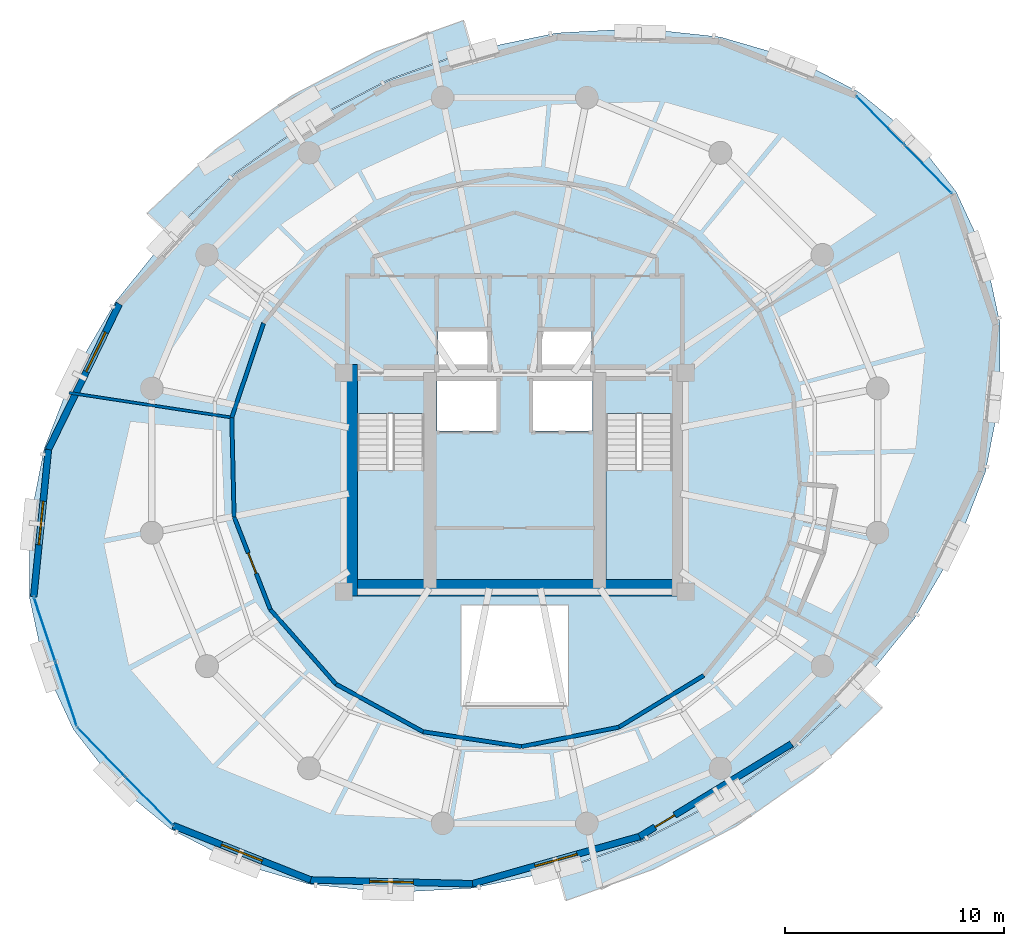
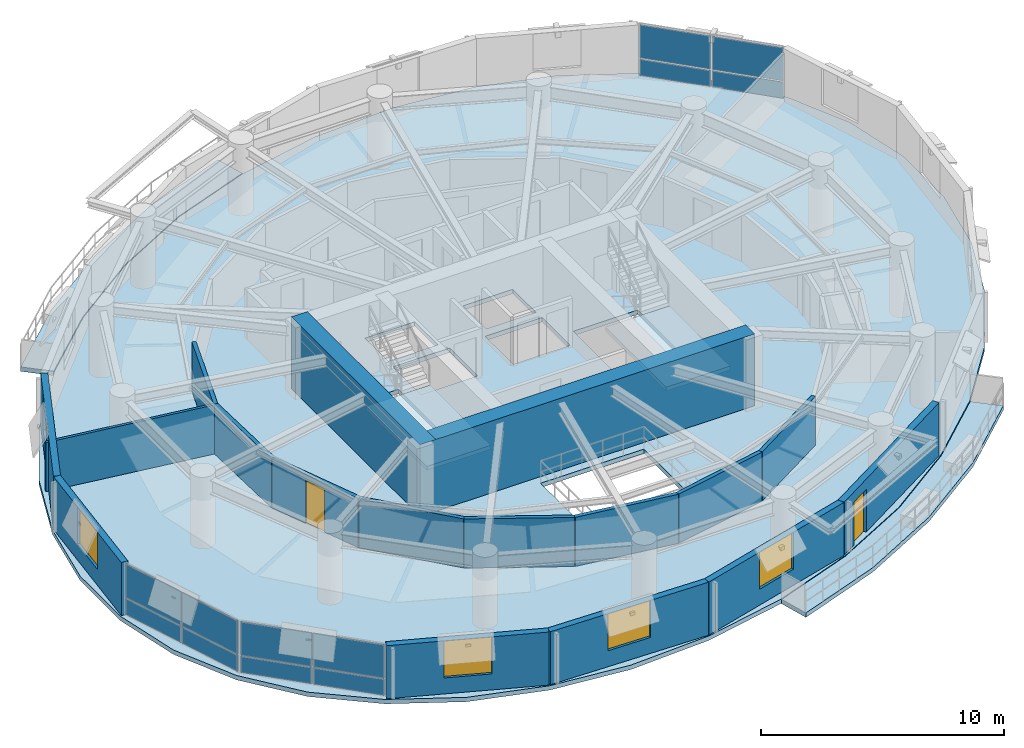
# One storey, part 9 of 15: 17 walls, 12 plates, 5 slabs, 5 windows, 2 doors, 7 openings, 5 elements without a shape of their own.
"""IFC4 building model written with IfcOpenShell, lengths in metres."""

from ifc_helpers import new_model, si_unit, direction, frame, frame_2d, origin, origin_2d, place, context, subcontext, project, spatial, polyline, rectangle, outline, extrude, material, layer, layer_set, type_object, element, fill, aggregate, save


model = new_model("IFC4")

# Units and contexts
model_context = context("Model", 3, precision=1e-05, world=origin(), true_north=direction((0.0, 1.0)))
body_context = subcontext(model_context, "Body", "Model", "MODEL_VIEW")
ifc_project = project(units=[si_unit("LENGTHUNIT", "METRE"), si_unit("AREAUNIT", "SQUARE_METRE"), si_unit("VOLUMEUNIT", "CUBIC_METRE"), si_unit("PLANEANGLEUNIT", "RADIAN"), si_unit("MASSUNIT", "GRAM", prefix="KILO"), si_unit("THERMODYNAMICTEMPERATUREUNIT", "KELVIN"), si_unit("POWERUNIT", "WATT")], contexts=[model_context])

# Site, building, storey
site_placement = place(None, origin())
site = spatial("IfcSite", under=ifc_project, at=site_placement, CompositionType="ELEMENT")
building_placement = place(site_placement, origin())
building = spatial("IfcBuilding", under=site, at=building_placement, Name="Ocrelia Relay Tower", CompositionType="ELEMENT")
storey_placement = place(building_placement, frame((0.0, 0.0, 166.39990234375)))
storey = spatial("IfcBuildingStorey", under=building, at=storey_placement, Name="L39", CompositionType="ELEMENT", Elevation=166.39990234375)

# Curtain wall, plates
ifc_material_1 = material(Name="Aluminium and solar-control low-E glass", Category="aluminium")
ifc_layer_1 = layer(ifc_material_1, 0.179931640625, Name="Aluminium and solar-control low-E glass")
ifc_layer_set_1 = layer_set([ifc_layer_1], Name="Aluminium and solar-control low-E glass")
curtain_wall_type = type_object("IfcCurtainWallType", Name="CW-SYS-Z3-CLOU", PredefinedType="NOTDEFINED", material=ifc_layer_set_1)
curtain_wall_1_placement = place(storey_placement, origin())
curtain_wall_1 = element("IfcCurtainWall", 1, at=curtain_wall_1_placement, inside=storey, type_object=curtain_wall_type, Name="L39 Elliptical Tower Curtain Wall Bay 01", PredefinedType="NOTDEFINED")
ifc_material_2 = material(Name="Clear double-glazed low-E glass", Category="glass")
ifc_layer_2 = layer(ifc_material_2, 0.031982421875, Name="Clear double-glazed low-E glass")
ifc_layer_set_2 = layer_set([ifc_layer_2], Name="Clear double-glazed low-E glass")
plate_type = type_object("IfcPlateType", Name="CW-SYS-Z3-CLOU-PNL", PredefinedType="CURTAIN_PANEL", material=ifc_layer_set_2)
plate_1_placement = place(storey_placement, frame((52.874755859375, 39.309326171875, 0.06005859375), z_axis=(0.0, 0.0, 1.0), x_axis=(-0.698789721576, 0.715327145451, 0.0)))
plate_1 = element("IfcPlate", 2, at=plate_1_placement, type_object=plate_type, Name="CW-Z3 panel 1.1", PredefinedType="CURTAIN_PANEL", context=body_context, shape_type="SweptSolid", body=[
    extrude(rectangle(XDim=3.0439453125, YDim=0.031982421875, at=origin_2d()), origin(), (0.0, 0.0, 1.0), 0.81005859375),
])
plate_2_placement = place(storey_placement, frame((52.874755859375, 39.309326171875, 0.93017578125), z_axis=(0.0, 0.0, 1.0), x_axis=(-0.698789721576, 0.715327145451, 0.0)))
plate_2 = element("IfcPlate", 3, at=plate_2_placement, type_object=plate_type, Name="CW-Z3 panel 1.2", PredefinedType="CURTAIN_PANEL", context=body_context, shape_type="SweptSolid", body=[
    extrude(rectangle(XDim=3.0439453125, YDim=0.031982421875, at=origin_2d()), origin(), (0.0, 0.0, 1.0), 1.669921875),
])
plate_3_placement = place(storey_placement, frame((50.702392578125, 41.533203125, 0.06005859375), z_axis=(0.0, 0.0, 1.0), x_axis=(-0.698789721576, 0.715327145451, 0.0)))
plate_3 = element("IfcPlate", 4, at=plate_3_placement, type_object=plate_type, Name="CW-Z3 panel 2.1", PredefinedType="CURTAIN_PANEL", context=body_context, shape_type="SweptSolid", body=[
    extrude(rectangle(XDim=3.0439453125, YDim=0.031982421875, at=origin_2d()), origin(), (0.0, 0.0, 1.0), 0.81005859375),
])
plate_4_placement = place(storey_placement, frame((50.702392578125, 41.533203125, 0.93017578125), z_axis=(0.0, 0.0, 1.0), x_axis=(-0.698789721576, 0.715327145451, 0.0)))
plate_4 = element("IfcPlate", 5, at=plate_4_placement, type_object=plate_type, Name="CW-Z3 panel 2.2", PredefinedType="CURTAIN_PANEL", context=body_context, shape_type="SweptSolid", body=[
    extrude(rectangle(XDim=3.0439453125, YDim=0.031982421875, at=origin_2d()), origin(), (0.0, 0.0, 1.0), 1.669921875),
])
aggregate(curtain_wall_1, [plate_1, plate_2, plate_3, plate_4])

curtain_wall_2_placement = place(storey_placement, origin())
curtain_wall_2 = element("IfcCurtainWall", 6, at=curtain_wall_2_placement, inside=storey, type_object=curtain_wall_type, Name="L39 Elliptical Tower Curtain Wall Bay 09", PredefinedType="NOTDEFINED")
plate_5_placement = place(storey_placement, frame((12.536376953125, 18.2822265625, 0.06005859375), z_axis=(0.0, 0.0, 1.0), x_axis=(0.315148416844, -0.949042399138, 0.0)))
plate_5 = element("IfcPlate", 7, at=plate_5_placement, type_object=plate_type, Name="CW-Z3 panel 1.1", PredefinedType="CURTAIN_PANEL", context=body_context, shape_type="SweptSolid", body=[
    extrude(rectangle(XDim=3.0439453125, YDim=0.031982421875, at=origin_2d()), origin(), (0.0, 0.0, 1.0), 0.81005859375),
])
plate_6_placement = place(storey_placement, frame((12.536376953125, 18.2822265625, 0.93017578125), z_axis=(0.0, 0.0, 1.0), x_axis=(0.315148416844, -0.949042399138, 0.0)))
plate_6 = element("IfcPlate", 8, at=plate_6_placement, type_object=plate_type, Name="CW-Z3 panel 1.2", PredefinedType="CURTAIN_PANEL", context=body_context, shape_type="SweptSolid", body=[
    extrude(rectangle(XDim=3.0439453125, YDim=0.031982421875, at=origin_2d()), origin(), (0.0, 0.0, 1.0), 1.669921875),
])
plate_7_placement = place(storey_placement, frame((13.51611328125, 15.331787109375, 0.06005859375), z_axis=(0.0, 0.0, 1.0), x_axis=(0.315148416844, -0.949042399138, 0.0)))
plate_7 = element("IfcPlate", 9, at=plate_7_placement, type_object=plate_type, Name="CW-Z3 panel 2.1", PredefinedType="CURTAIN_PANEL", context=body_context, shape_type="SweptSolid", body=[
    extrude(rectangle(XDim=3.0439453125, YDim=0.031982421875, at=origin_2d()), origin(), (0.0, 0.0, 1.0), 0.81005859375),
])
plate_8_placement = place(storey_placement, frame((13.51611328125, 15.331787109375, 0.93017578125), z_axis=(0.0, 0.0, 1.0), x_axis=(0.315148416844, -0.949042399138, 0.0)))
plate_8 = element("IfcPlate", 10, at=plate_8_placement, type_object=plate_type, Name="CW-Z3 panel 2.2", PredefinedType="CURTAIN_PANEL", context=body_context, shape_type="SweptSolid", body=[
    extrude(rectangle(XDim=3.0439453125, YDim=0.031982421875, at=origin_2d()), origin(), (0.0, 0.0, 1.0), 1.669921875),
])
aggregate(curtain_wall_2, [plate_5, plate_6, plate_7, plate_8])

curtain_wall_3_placement = place(storey_placement, origin())
curtain_wall_3 = element("IfcCurtainWall", 11, at=curtain_wall_3_placement, inside=storey, type_object=curtain_wall_type, Name="L39 Elliptical Tower Curtain Wall Bay 10", PredefinedType="NOTDEFINED")
plate_9_placement = place(storey_placement, frame((15.125244140625, 12.690673828125, 0.06005859375), z_axis=(0.0, 0.0, 1.0), x_axis=(0.698789721576, -0.715327145451, 0.0)))
plate_9 = element("IfcPlate", 12, at=plate_9_placement, type_object=plate_type, Name="CW-Z3 panel 1.1", PredefinedType="CURTAIN_PANEL", context=body_context, shape_type="SweptSolid", body=[
    extrude(rectangle(XDim=3.0439453125, YDim=0.031982421875, at=origin_2d()), origin(), (0.0, 0.0, 1.0), 0.81005859375),
])
plate_10_placement = place(storey_placement, frame((15.125244140625, 12.690673828125, 0.93017578125), z_axis=(0.0, 0.0, 1.0), x_axis=(0.698789721576, -0.715327145451, 0.0)))
plate_10 = element("IfcPlate", 13, at=plate_10_placement, type_object=plate_type, Name="CW-Z3 panel 1.2", PredefinedType="CURTAIN_PANEL", context=body_context, shape_type="SweptSolid", body=[
    extrude(rectangle(XDim=3.0439453125, YDim=0.031982421875, at=origin_2d()), origin(), (0.0, 0.0, 1.0), 1.669921875),
])
plate_11_placement = place(storey_placement, frame((17.297607421875, 10.466796875, 0.06005859375), z_axis=(0.0, 0.0, 1.0), x_axis=(0.698789721576, -0.715327145451, 0.0)))
plate_11 = element("IfcPlate", 14, at=plate_11_placement, type_object=plate_type, Name="CW-Z3 panel 2.1", PredefinedType="CURTAIN_PANEL", context=body_context, shape_type="SweptSolid", body=[
    extrude(rectangle(XDim=3.0439453125, YDim=0.031982421875, at=origin_2d()), origin(), (0.0, 0.0, 1.0), 0.81005859375),
])
plate_12_placement = place(storey_placement, frame((17.297607421875, 10.466796875, 0.93017578125), z_axis=(0.0, 0.0, 1.0), x_axis=(0.698789721576, -0.715327145451, 0.0)))
plate_12 = element("IfcPlate", 15, at=plate_12_placement, type_object=plate_type, Name="CW-Z3 panel 2.2", PredefinedType="CURTAIN_PANEL", context=body_context, shape_type="SweptSolid", body=[
    extrude(rectangle(XDim=3.0439453125, YDim=0.031982421875, at=origin_2d()), origin(), (0.0, 0.0, 1.0), 1.669921875),
])
aggregate(curtain_wall_3, [plate_9, plate_10, plate_11, plate_12])

# Slabs
ifc_material_3 = material(Name="Precast concrete C40/50", Category="concrete")
ifc_layer_3 = layer(ifc_material_3, 0.219970703125, Name="Precast concrete C40/50")
ifc_layer_set_3 = layer_set([ifc_layer_3], Name="Precast concrete C40/50")
slab_type_1 = type_object("IfcSlabType", Name="SL-BALC-220", PredefinedType="FLOOR", material=ifc_layer_set_3)
slab_1_placement = place(storey_placement, frame((0.0, 0.0, -0.219970703125)))
element("IfcSlab", 16, at=slab_1_placement, inside=storey, type_object=slab_type_1, Name="L39 Planted Loggia Balcony B1", PredefinedType="FLOOR", context=body_context, shape_type="SweptSolid", body=[
    extrude(outline(polyline([(32.036376953125, 44.753662109375), (30.125244140625, 44.068115234375), (28.214111328125, 43.38232421875), (24.567626953125, 41.483154296875), (21.20751953125, 39.114013671875), (19.7216796875, 37.730224609375), (18.23583984375, 36.346435546875), (17.216796875, 37.296875), (18.773193359375, 38.74609375), (20.329345703125, 40.195556640625), (23.8427734375, 42.6728515625), (27.65576171875, 44.65869140625), (29.657470703125, 45.376953125), (31.6591796875, 46.09521484375), (32.036376953125, 44.753662109375)])), origin(), (0.0, 0.0, 1.0), 0.219970703125),
])
slab_2_placement = place(storey_placement, frame((0.0, 0.0, -0.219970703125)))
element("IfcSlab", 17, at=slab_2_placement, inside=storey, type_object=slab_type_1, Name="L39 Planted Loggia Balcony B2", PredefinedType="FLOOR", context=body_context, shape_type="SweptSolid", body=[
    extrude(outline(polyline([(35.963623046875, 7.246337890625), (37.874755859375, 7.931884765625), (39.785888671875, 8.61767578125), (43.432373046875, 10.516845703125), (46.79248046875, 12.885986328125), (48.2783203125, 14.27001953125), (49.76416015625, 15.653564453125), (50.783203125, 14.703125), (49.226806640625, 13.25390625), (47.670654296875, 11.804443359375), (44.1572265625, 9.3271484375), (40.34423828125, 7.34130859375), (38.342529296875, 6.623046875), (36.3408203125, 5.90478515625), (35.963623046875, 7.246337890625)])), origin(), (0.0, 0.0, 1.0), 0.219970703125),
])
ifc_material_4 = material(Name="Concrete C50/60", Category="concrete")
ifc_layer_4 = layer(ifc_material_4, 0.219970703125, Name="Concrete C50/60")
ifc_layer_set_4 = layer_set([ifc_layer_4], Name="Concrete C50/60")
slab_type_2 = type_object("IfcSlabType", Name="SL-FLR-220", PredefinedType="FLOOR", material=ifc_layer_set_4)
slab_3_placement = place(storey_placement, frame((0.0, 0.0, -0.219970703125)))
element("IfcSlab", 18, at=slab_3_placement, inside=storey, type_object=slab_type_2, Name="L39 Elliptical Tower Floor Slab", PredefinedType="FLOOR", context=body_context, shape_type="SweptSolid", body=[
    extrude(outline(polyline([(54.154541015625, 38.2783203125), (52.213134765625, 40.77587890625), (49.71826171875, 42.824462890625), (46.745849609375, 44.362060546875), (43.38623046875, 45.341552734375), (39.741455078125, 45.7333984375), (35.922119140625, 45.525634765625), (32.04443359375, 44.724609375), (28.22607421875, 43.354736328125), (24.583251953125, 41.45751953125), (21.2265625, 39.090576171875), (18.2578125, 36.325927734375), (15.767578125, 33.24755859375), (13.831298828125, 29.94873046875), (12.5078125, 26.5302734375), (11.83740234375, 23.095458984375), (11.840087890625, 19.7490234375), (12.5166015625, 16.592529296875), (13.845458984375, 13.7216796875), (15.786865234375, 11.22412109375), (18.28173828125, 9.175537109375), (21.254150390625, 7.637939453125), (24.61376953125, 6.658447265625), (28.258544921875, 6.2666015625), (32.077880859375, 6.474365234375), (35.95556640625, 7.275390625), (39.77392578125, 8.645263671875), (43.416748046875, 10.54248046875), (46.7734375, 12.909423828125), (49.7421875, 15.674072265625), (52.232421875, 18.75244140625), (54.168701171875, 22.05126953125), (55.4921875, 25.4697265625), (56.16259765625, 28.904541015625), (56.159912109375, 32.2509765625), (55.4833984375, 35.407470703125), (54.154541015625, 38.2783203125)]), holes=[polyline([(26.81005859375, 28.14990234375), (26.81005859375, 20.550048828125), (29.85009765625, 20.550048828125), (29.85009765625, 28.14990234375), (26.81005859375, 28.14990234375)]), polyline([(38.159912109375, 28.14990234375), (38.159912109375, 20.550048828125), (41.199951171875, 20.550048828125), (41.199951171875, 28.14990234375), (38.159912109375, 28.14990234375)]), polyline([(30.4599609375, 27.35009765625), (33.159912109375, 27.35009765625), (33.159912109375, 29.64990234375), (30.4599609375, 29.64990234375), (30.4599609375, 27.35009765625)]), polyline([(34.840087890625, 27.35009765625), (37.5400390625, 27.35009765625), (37.5400390625, 29.64990234375), (34.840087890625, 29.64990234375), (34.840087890625, 27.35009765625)]), polyline([(30.5, 30.10009765625), (32.85009765625, 30.10009765625), (32.85009765625, 32.0), (30.5, 32.0), (30.5, 30.10009765625)]), polyline([(35.14990234375, 30.10009765625), (37.5, 30.10009765625), (37.5, 32.0), (35.14990234375, 32.0), (35.14990234375, 30.10009765625)]), polyline([(31.550048828125, 14.800048828125), (36.449951171875, 14.800048828125), (36.449951171875, 19.39990234375), (31.550048828125, 19.39990234375), (31.550048828125, 14.800048828125)])]), origin(), (0.0, 0.0, 1.0), 0.219970703125),
])

# Stair, slab
stair_type = type_object("IfcStairType", Name="ST-DL-1420-R180", PredefinedType="HALF_TURN_STAIR", material=ifc_material_4)
stair_1_placement = place(storey_placement, origin())
stair_1 = element("IfcStair", 19, at=stair_1_placement, inside=storey, type_object=stair_type, Name="L39 West Core Exit Stair ST1", PredefinedType="HALF_TURN_STAIR")
ifc_layer_5 = layer(ifc_material_4, 0.199951171875, Name="Concrete C50/60")
ifc_layer_set_5 = layer_set([ifc_layer_5], Name="Concrete C50/60")
slab_type_3 = type_object("IfcSlabType", Name="SL-LANDING-200", PredefinedType="LANDING", material=ifc_layer_set_5)
slab_4_placement = place(storey_placement, frame((0.0, 0.0, 1.60009765625)))
slab_4 = element("IfcSlab", 20, at=slab_4_placement, type_object=slab_type_3, Name="ST1 landing 1", PredefinedType="LANDING", context=body_context, shape_type="SweptSolid", body=[
    extrude(outline(polyline([(26.81005859375, 25.5400390625), (26.81005859375, 20.550048828125), (29.85009765625, 20.550048828125), (29.85009765625, 25.5400390625), (26.81005859375, 25.5400390625)])), origin(), (0.0, 0.0, 1.0), 0.199951171875),
])
aggregate(stair_1, [slab_4])

stair_2_placement = place(storey_placement, origin())
stair_2 = element("IfcStair", 21, at=stair_2_placement, inside=storey, type_object=stair_type, Name="L39 East Core Exit Stair ST2", PredefinedType="HALF_TURN_STAIR")
slab_5_placement = place(storey_placement, frame((0.0, 0.0, 1.60009765625)))
slab_5 = element("IfcSlab", 22, at=slab_5_placement, type_object=slab_type_3, Name="ST2 landing 1", PredefinedType="LANDING", context=body_context, shape_type="SweptSolid", body=[
    extrude(outline(polyline([(38.159912109375, 25.5400390625), (38.159912109375, 20.550048828125), (41.199951171875, 20.550048828125), (41.199951171875, 25.5400390625), (38.159912109375, 25.5400390625)])), origin(), (0.0, 0.0, 1.0), 0.199951171875),
])
aggregate(stair_2, [slab_5])

# Walls
ifc_material_5 = material(Name="Concrete C60/75", Category="concrete")
ifc_layer_6 = layer(ifc_material_5, 0.75, Name="Concrete C60/75")
ifc_layer_set_6 = layer_set([ifc_layer_6], Name="Concrete C60/75")
wall_type_1 = type_object("IfcWallType", Name="CW-CORE-750", PredefinedType="SHEAR", material=ifc_layer_set_6)
wall_1_placement = place(storey_placement, frame((26.072021484375, 20.18701171875, 0.0), z_axis=(0.0, 0.0, 1.0), x_axis=(1.0, 0.0, 0.0)))
element("IfcWall", 23, at=wall_1_placement, inside=storey, type_object=wall_type_1, Name="L39 Core Shear Wall S", PredefinedType="SHEAR", context=body_context, shape_type="SweptSolid", body=[
    extrude(rectangle(XDim=15.865966796875, YDim=0.75, at=frame_2d((7.93310546875, 0.0))), origin(), (0.0, 0.0, 1.0), 3.60009765625),
])
wall_2_placement = place(storey_placement, frame((26.447021484375, 19.81201171875, 0.0), z_axis=(0.0, 0.0, 1.0), x_axis=(0.0, 1.0, 0.0)))
element("IfcWall", 24, at=wall_2_placement, inside=storey, type_object=wall_type_1, Name="L39 Core Shear Wall W", PredefinedType="SHEAR", context=body_context, shape_type="SweptSolid", body=[
    extrude(rectangle(XDim=10.575927734375, YDim=0.75, at=frame_2d((5.2880859375, 0.0))), origin(), (0.0, 0.0, 1.0), 3.60009765625),
])
ifc_material_6 = material(Name="Gypsum Fireboard Partition EI60", Category="gypsum")
ifc_layer_7 = layer(ifc_material_6, 0.179931640625, Name="Gypsum Fireboard Partition EI60")
ifc_layer_set_7 = layer_set([ifc_layer_7], Name="Gypsum Fireboard Partition EI60")
wall_type_2 = type_object("IfcWallType", Name="W-CORR-EI60-180", PredefinedType="PARTITIONING", material=ifc_layer_set_7)
wall_3_placement = place(storey_placement, frame((22.5302734375, 32.2666015625, 0.0), z_axis=(0.0, 0.0, 1.0), x_axis=(-0.31980761521, -0.947482500764, 0.0)))
element("IfcWall", 25, at=wall_3_placement, inside=storey, type_object=wall_type_2, Name="L39 Cloud Engineering Workspace Corridor Partition 7", PredefinedType="PARTITIONING", context=body_context, shape_type="SweptSolid", body=[
    extrude(rectangle(XDim=4.5390625, YDim=0.179931640625, at=frame_2d((2.26953125, 0.0))), origin(), (0.0, 0.0, 1.0), 2.460205078125),
])
wall_4_placement = place(storey_placement, frame((21.07861328125, 27.9658203125, 0.0), z_axis=(0.0, 0.0, 1.0), x_axis=(0.023557050379, -0.999722494184, 0.0)))
element("IfcWall", 26, at=wall_4_placement, inside=storey, type_object=wall_type_2, Name="L39 Protocol Simulation Studio Corridor Partition 1", PredefinedType="PARTITIONING", context=body_context, shape_type="SweptSolid", body=[
    extrude(rectangle(XDim=4.539306640625, YDim=0.179931640625, at=frame_2d((2.26953125, 0.0))), origin(), (0.0, 0.0, 1.0), 2.460205078125),
])

# Wall, opening, door
wall_5_placement = place(storey_placement, frame((21.185546875, 23.427734375, 0.0), z_axis=(0.0, 0.0, 1.0), x_axis=(0.36408092874, -0.931367316008, 0.0)))
wall_5 = element("IfcWall", 27, at=wall_5_placement, inside=storey, type_object=wall_type_2, Name="L39 Protocol Simulation Studio Corridor Partition 2", PredefinedType="PARTITIONING", context=body_context, shape_type="SweptSolid", body=[
    extrude(rectangle(XDim=4.5390625, YDim=0.179931640625, at=frame_2d((2.26953125, 0.0))), origin(), (0.0, 0.0, 1.0), 2.460205078125),
])
opening_1_placement = place(wall_5_placement, frame((1.76953125, 0.0, 0.0)))
opening_1 = element("IfcOpeningElement", 28, at=opening_1_placement, cuts=wall_5, Name="Opening D-RM100", PredefinedType="OPENING", context=body_context, shape_type="SweptSolid", body=[
    extrude(rectangle(XDim=1.0, YDim=2.14990234375, at=frame_2d((0.5, 1.074951171875))), frame((0.0, 0.10009765625, 0.0), z_axis=(0.0, -1.0, 0.0), x_axis=(1.0, 0.0, 0.0)), (0.0, 0.0, 1.0), 0.199951171875),
])
ifc_material_7 = material(Name="Acoustic oak veneer fire door", Category="wood")
door_type_1 = type_object("IfcDoorType", Name="DR-ROOM-FD60-1000", OperationType="NOTDEFINED", PredefinedType="DOOR", material=ifc_material_7)
door_1_placement = place(opening_1_placement, origin())
door_1 = element("IfcDoor", 29, at=door_1_placement, inside=storey, type_object=door_type_1, Name="L39 Protocol Simulation Studio Entrance Door", OperationType="SINGLE_SWING_RIGHT", OverallHeight=2.14990234375, OverallWidth=1.0, PredefinedType="DOOR", context=body_context, shape_type="SweptSolid", body=[
    extrude(rectangle(XDim=1.0, YDim=2.14990234375, at=frame_2d((0.5, 1.074951171875))), frame((0.0, 0.02490234375, 0.0), z_axis=(0.0, -1.0, 0.0), x_axis=(1.0, 0.0, 0.0)), (0.0, 0.0, 1.0), 0.050048828125),
])
fill(opening_1, door_1)

# Walls
wall_6_placement = place(storey_placement, frame((22.838134765625, 19.2001953125, 0.0), z_axis=(0.0, 0.0, 1.0), x_axis=(0.660626682452, -0.750714583869, 0.0)))
element("IfcWall", 30, at=wall_6_placement, inside=storey, type_object=wall_type_2, Name="L39 Protocol Simulation Studio Corridor Partition 3", PredefinedType="PARTITIONING", context=body_context, shape_type="SweptSolid", body=[
    extrude(rectangle(XDim=4.539306640625, YDim=0.179931640625, at=frame_2d((2.26953125, 0.0))), origin(), (0.0, 0.0, 1.0), 2.460205078125),
])
for number, where, z_axis, x_axis, name in (
    (31, (25.8369140625, 15.79248046875, 0.0), (0.0, 0.0, 1.0), (0.877570600143, -0.479447433787, 0.0), "L39 Protocol Simulation Studio Corridor Partition 4"),
    (32, (29.8203125, 13.6162109375, 0.0), (0.0, 0.0, 1.0), (0.988627704607, -0.150383714819, 0.0), "L39 Protocol Simulation Studio Corridor Partition 5"),
):
    element("IfcWall", number, at=place(storey_placement, frame(where, z_axis=z_axis, x_axis=x_axis)), inside=storey, type_object=wall_type_2, Name=name, PredefinedType="PARTITIONING", context=body_context, shape_type="SweptSolid", body=[
        extrude(rectangle(XDim=4.5390625, YDim=0.179931640625, at=frame_2d((2.26953125, 0.0))), origin(), (0.0, 0.0, 1.0), 2.460205078125),
    ])
wall_7_placement = place(storey_placement, frame((34.307861328125, 12.93359375, 0.0), z_axis=(0.0, 0.0, 1.0), x_axis=(0.980443907312, 0.196798741393, 0.0)))
element("IfcWall", 33, at=wall_7_placement, inside=storey, type_object=wall_type_2, Name="L39 Protocol Simulation Studio Corridor Partition 6", PredefinedType="PARTITIONING", context=body_context, shape_type="SweptSolid", body=[
    extrude(rectangle(XDim=4.539306640625, YDim=0.179931640625, at=frame_2d((2.26953125, 0.0))), origin(), (0.0, 0.0, 1.0), 2.460205078125),
])
wall_8_placement = place(storey_placement, frame((38.75830078125, 13.826904296875, 0.0), z_axis=(0.0, 0.0, 1.0), x_axis=(0.854004275156, 0.520265987756, 0.0)))
element("IfcWall", 34, at=wall_8_placement, inside=storey, type_object=wall_type_2, Name="L39 Protocol Simulation Studio Corridor Partition 7", PredefinedType="PARTITIONING", context=body_context, shape_type="SweptSolid", body=[
    extrude(rectangle(XDim=4.5390625, YDim=0.179931640625, at=frame_2d((2.26953125, 0.0))), origin(), (0.0, 0.0, 1.0), 2.460205078125),
])

# Wall, opening, window
ifc_material_8 = material(Name="Precast concrete C40/50 with oxide terracotta", Category="masonry")
ifc_layer_8 = layer(ifc_material_8, 0.300048828125, Name="Precast concrete C40/50 with oxide terracotta")
ifc_layer_set_8 = layer_set([ifc_layer_8], Name="Precast concrete C40/50 with oxide terracotta")
wall_type_3 = type_object("IfcWallType", Name="W-EXT-TERR-300", PredefinedType="SOLIDWALL", material=ifc_layer_set_8)
wall_9_placement = place(storey_placement, frame((15.943115234375, 33.151611328125, 0.0), z_axis=(0.0, 0.0, 1.0), x_axis=(-0.437643860452, -0.89914840344, 0.0)))
wall_9 = element("IfcWall", 35, at=wall_9_placement, inside=storey, type_object=wall_type_3, Name="L39 Oxide Terracotta Facade Wall 07", PredefinedType="SOLIDWALL", context=body_context, shape_type="SweptSolid", body=[
    extrude(rectangle(XDim=7.397705078125, YDim=0.300048828125, at=frame_2d((3.69873046875, 0.0))), origin(), (0.0, 0.0, 1.0), 2.66015625),
])
opening_2_placement = place(wall_9_placement, frame((1.43896484375, 0.0, 0.800048828125)))
opening_2 = element("IfcOpeningElement", 36, at=opening_2_placement, cuts=wall_9, Name="Opening W-03", PredefinedType="OPENING", context=body_context, shape_type="SweptSolid", body=[
    extrude(rectangle(XDim=2.0, YDim=1.85009765625, at=frame_2d((1.0, 0.925048828125))), frame((0.0, 0.16015625, 0.0), z_axis=(0.0, -1.0, 0.0), x_axis=(1.0, 0.0, 0.0)), (0.0, 0.0, 1.0), 0.320068359375),
])
window_type = type_object("IfcWindowType", Name="WIN-Z3-2000x2200", PartitioningType="DOUBLE_PANEL_VERTICAL", PredefinedType="WINDOW", material=ifc_material_2)
window_1_placement = place(opening_2_placement, origin())
window_1 = element("IfcWindow", 37, at=window_1_placement, inside=storey, type_object=window_type, Name="L39 Facade Module Window 07", OverallHeight=1.85009765625, OverallWidth=2.0, PartitioningType="SINGLE_PANEL", PredefinedType="WINDOW", context=body_context, shape_type="SweptSolid", body=[
    extrude(rectangle(XDim=2.0, YDim=1.85009765625, at=frame_2d((1.0, 0.925048828125))), frame((0.0, 0.030029296875, 0.0), z_axis=(0.0, -1.0, 0.0), x_axis=(1.0, 0.0, 0.0)), (0.0, 0.0, 1.0), 0.06005859375),
])
fill(opening_2, window_1)

wall_10_placement = place(storey_placement, frame((12.70556640625, 26.5, 0.0), z_axis=(0.0, 0.0, 1.0), x_axis=(-0.099213429468, -0.995066176399, 0.0)))
wall_10 = element("IfcWall", 38, at=wall_10_placement, inside=storey, type_object=wall_type_3, Name="L39 Oxide Terracotta Facade Wall 08", PredefinedType="SOLIDWALL", context=body_context, shape_type="SweptSolid", body=[
    extrude(rectangle(XDim=6.744873046875, YDim=0.300048828125, at=frame_2d((3.37255859375, 0.0))), origin(), (0.0, 0.0, 1.0), 2.66015625),
])
opening_3_placement = place(wall_10_placement, frame((2.3720703125, 0.0, 0.800048828125)))
opening_3 = element("IfcOpeningElement", 39, at=opening_3_placement, cuts=wall_10, Name="Opening W-03", PredefinedType="OPENING", context=body_context, shape_type="SweptSolid", body=[
    extrude(rectangle(XDim=2.0, YDim=1.85009765625, at=frame_2d((1.0, 0.925048828125))), frame((0.0, 0.16015625, 0.0), z_axis=(0.0, -1.0, 0.0), x_axis=(1.0, 0.0, 0.0)), (0.0, 0.0, 1.0), 0.320068359375),
])
window_2_placement = place(opening_3_placement, origin())
window_2 = element("IfcWindow", 40, at=window_2_placement, inside=storey, type_object=window_type, Name="L39 Facade Module Window 08", OverallHeight=1.85009765625, OverallWidth=2.0, PartitioningType="SINGLE_PANEL", PredefinedType="WINDOW", context=body_context, shape_type="SweptSolid", body=[
    extrude(rectangle(XDim=2.0, YDim=1.85009765625, at=frame_2d((1.0, 0.925048828125))), frame((0.0, 0.030029296875, 0.0), z_axis=(0.0, -1.0, 0.0), x_axis=(1.0, 0.0, 0.0)), (0.0, 0.0, 1.0), 0.06005859375),
])
fill(opening_3, window_2)

wall_11_placement = place(storey_placement, frame((18.406494140625, 9.33154296875, 0.0), z_axis=(0.0, 0.0, 1.0), x_axis=(0.929741827898, -0.368212076739, 0.0)))
wall_11 = element("IfcWall", 41, at=wall_11_placement, inside=storey, type_object=wall_type_3, Name="L39 Oxide Terracotta Facade Wall 11", PredefinedType="SOLIDWALL", context=body_context, shape_type="SweptSolid", body=[
    extrude(rectangle(XDim=6.7451171875, YDim=0.300048828125, at=frame_2d((3.37255859375, 0.0))), origin(), (0.0, 0.0, 1.0), 2.66015625),
])
opening_4_placement = place(wall_11_placement, frame((2.373046875, 0.0, 0.800048828125)))
opening_4 = element("IfcOpeningElement", 42, at=opening_4_placement, cuts=wall_11, Name="Opening W-03", PredefinedType="OPENING", context=body_context, shape_type="SweptSolid", body=[
    extrude(rectangle(XDim=2.0, YDim=1.85009765625, at=frame_2d((1.0, 0.925048828125))), frame((0.0, 0.16015625, 0.0), z_axis=(0.0, -1.0, 0.0), x_axis=(1.0, 0.0, 0.0)), (0.0, 0.0, 1.0), 0.320068359375),
])
window_3_placement = place(opening_4_placement, origin())
window_3 = element("IfcWindow", 43, at=window_3_placement, inside=storey, type_object=window_type, Name="L39 Facade Module Window 11", OverallHeight=1.85009765625, OverallWidth=2.0, PartitioningType="SINGLE_PANEL", PredefinedType="WINDOW", context=body_context, shape_type="SweptSolid", body=[
    extrude(rectangle(XDim=2.0, YDim=1.85009765625, at=frame_2d((1.0, 0.925048828125))), frame((0.0, 0.030029296875, 0.0), z_axis=(0.0, -1.0, 0.0), x_axis=(1.0, 0.0, 0.0)), (0.0, 0.0, 1.0), 0.06005859375),
])
fill(opening_4, window_3)

wall_12_placement = place(storey_placement, frame((24.677734375, 6.847900390625, 0.0), z_axis=(0.0, 0.0, 1.0), x_axis=(0.999724657082, -0.023465080919, 0.0)))
wall_12 = element("IfcWall", 44, at=wall_12_placement, inside=storey, type_object=wall_type_3, Name="L39 Oxide Terracotta Facade Wall 12", PredefinedType="SOLIDWALL", context=body_context, shape_type="SweptSolid", body=[
    extrude(rectangle(XDim=7.3974609375, YDim=0.300048828125, at=frame_2d((3.69873046875, 0.0))), origin(), (0.0, 0.0, 1.0), 2.66015625),
])
opening_5_placement = place(wall_12_placement, frame((2.698974609375, 0.0, 0.800048828125)))
opening_5 = element("IfcOpeningElement", 45, at=opening_5_placement, cuts=wall_12, Name="Opening W-03", PredefinedType="OPENING", context=body_context, shape_type="SweptSolid", body=[
    extrude(rectangle(XDim=2.0, YDim=1.85009765625, at=frame_2d((1.0, 0.925048828125))), frame((0.0, 0.16015625, 0.0), z_axis=(0.0, -1.0, 0.0), x_axis=(1.0, 0.0, 0.0)), (0.0, 0.0, 1.0), 0.320068359375),
])
window_4_placement = place(opening_5_placement, origin())
window_4 = element("IfcWindow", 46, at=window_4_placement, inside=storey, type_object=window_type, Name="L39 Facade Module Window 12", OverallHeight=1.85009765625, OverallWidth=2.0, PartitioningType="SINGLE_PANEL", PredefinedType="WINDOW", context=body_context, shape_type="SweptSolid", body=[
    extrude(rectangle(XDim=2.0, YDim=1.85009765625, at=frame_2d((1.0, 0.925048828125))), frame((0.0, 0.030029296875, 0.0), z_axis=(0.0, -1.0, 0.0), x_axis=(1.0, 0.0, 0.0)), (0.0, 0.0, 1.0), 0.06005859375),
])
fill(opening_5, window_4)

wall_13_placement = place(storey_placement, frame((32.0732421875, 6.67431640625, 0.0), z_axis=(0.0, 0.0, 1.0), x_axis=(0.96225962462, 0.272133082932, 0.0)))
wall_13 = element("IfcWall", 47, at=wall_13_placement, inside=storey, type_object=wall_type_3, Name="L39 Oxide Terracotta Facade Wall 13", PredefinedType="SOLIDWALL", context=body_context, shape_type="SweptSolid", body=[
    extrude(rectangle(XDim=7.927001953125, YDim=0.300048828125, at=frame_2d((3.96337890625, 0.0))), origin(), (0.0, 0.0, 1.0), 2.66015625),
])
opening_6_placement = place(wall_13_placement, frame((2.964111328125, 0.0, 0.800048828125)))
opening_6 = element("IfcOpeningElement", 48, at=opening_6_placement, cuts=wall_13, Name="Opening W-03", PredefinedType="OPENING", context=body_context, shape_type="SweptSolid", body=[
    extrude(rectangle(XDim=2.0, YDim=1.85009765625, at=frame_2d((1.0, 0.925048828125))), frame((0.0, 0.16015625, 0.0), z_axis=(0.0, -1.0, 0.0), x_axis=(1.0, 0.0, 0.0)), (0.0, 0.0, 1.0), 0.320068359375),
])
window_5_placement = place(opening_6_placement, origin())
window_5 = element("IfcWindow", 49, at=window_5_placement, inside=storey, type_object=window_type, Name="L39 Facade Module Window 13", OverallHeight=1.85009765625, OverallWidth=2.0, PartitioningType="SINGLE_PANEL", PredefinedType="WINDOW", context=body_context, shape_type="SweptSolid", body=[
    extrude(rectangle(XDim=2.0, YDim=1.85009765625, at=frame_2d((1.0, 0.925048828125))), frame((0.0, 0.030029296875, 0.0), z_axis=(0.0, -1.0, 0.0), x_axis=(1.0, 0.0, 0.0)), (0.0, 0.0, 1.0), 0.06005859375),
])
fill(opening_6, window_5)

# Wall, opening, door
wall_14_placement = place(storey_placement, frame((39.701171875, 8.83154296875, 0.0), z_axis=(0.0, 0.0, 1.0), x_axis=(0.854003574889, 0.520267137226, 0.0)))
wall_14 = element("IfcWall", 50, at=wall_14_placement, inside=storey, type_object=wall_type_3, Name="L39 Oxide Terracotta Facade Wall 14", PredefinedType="SOLIDWALL", context=body_context, shape_type="SweptSolid", body=[
    extrude(rectangle(XDim=8.126708984375, YDim=0.300048828125, at=frame_2d((4.0634765625, 0.0))), origin(), (0.0, 0.0, 1.0), 2.66015625),
])
opening_7_placement = place(wall_14_placement, frame((0.830078125, 0.0, 0.0)))
opening_7 = element("IfcOpeningElement", 51, at=opening_7_placement, cuts=wall_14, Name="Opening DB-105", PredefinedType="OPENING", context=body_context, shape_type="SweptSolid", body=[
    extrude(rectangle(XDim=1.050048828125, YDim=2.14990234375, at=frame_2d((0.52490234375, 1.074951171875))), frame((0.0, 0.16015625, 0.0), z_axis=(0.0, -1.0, 0.0), x_axis=(1.0, 0.0, 0.0)), (0.0, 0.0, 1.0), 0.320068359375),
])
ifc_material_9 = material(Name="Thermally broken aluminium and clear glass", Category="aluminium")
door_type_2 = type_object("IfcDoorType", Name="DR-BALC-1050", OperationType="NOTDEFINED", PredefinedType="DOOR", material=ifc_material_9)
door_2_placement = place(opening_7_placement, origin())
door_2 = element("IfcDoor", 52, at=door_2_placement, inside=storey, type_object=door_type_2, Name="L39 Planted Loggia Balcony Door B2", OperationType="SINGLE_SWING_LEFT", OverallHeight=2.14990234375, OverallWidth=1.050048828125, PredefinedType="DOOR", context=body_context, shape_type="SweptSolid", body=[
    extrude(rectangle(XDim=1.050048828125, YDim=2.14990234375, at=frame_2d((0.52490234375, 1.074951171875))), frame((0.0, 0.02490234375, 0.0), z_axis=(0.0, -1.0, 0.0), x_axis=(1.0, 0.0, 0.0)), (0.0, 0.0, 1.0), 0.050048828125),
])
fill(opening_7, door_2)

# Wall
ifc_material_10 = material(Name="Acoustic Fireboard Partition EI60", Category="gypsum")
ifc_layer_9 = layer(ifc_material_10, 0.125, Name="Acoustic Fireboard Partition EI60")
ifc_layer_set_9 = layer_set([ifc_layer_9], Name="Acoustic Fireboard Partition EI60")
wall_type_4 = type_object("IfcWallType", Name="W-PART-125", PredefinedType="PARTITIONING", material=ifc_layer_set_9)
wall_15_placement = place(storey_placement, frame((21.07861328125, 27.9658203125, 0.0), z_axis=(0.0, 0.0, 1.0), x_axis=(-0.98862514365, 0.150400549675, 0.0)))
element("IfcWall", 53, at=wall_15_placement, inside=storey, type_object=wall_type_4, Name="L39 Cloud Engineering Workspace Radial Partition", PredefinedType="PARTITIONING", context=body_context, shape_type="SweptSolid", body=[
    extrude(rectangle(XDim=7.50927734375, YDim=0.125, at=frame_2d((3.754638671875, 0.0))), origin(), (0.0, 0.0, 1.0), 2.460205078125),
])

save(model, "model.ifc")
